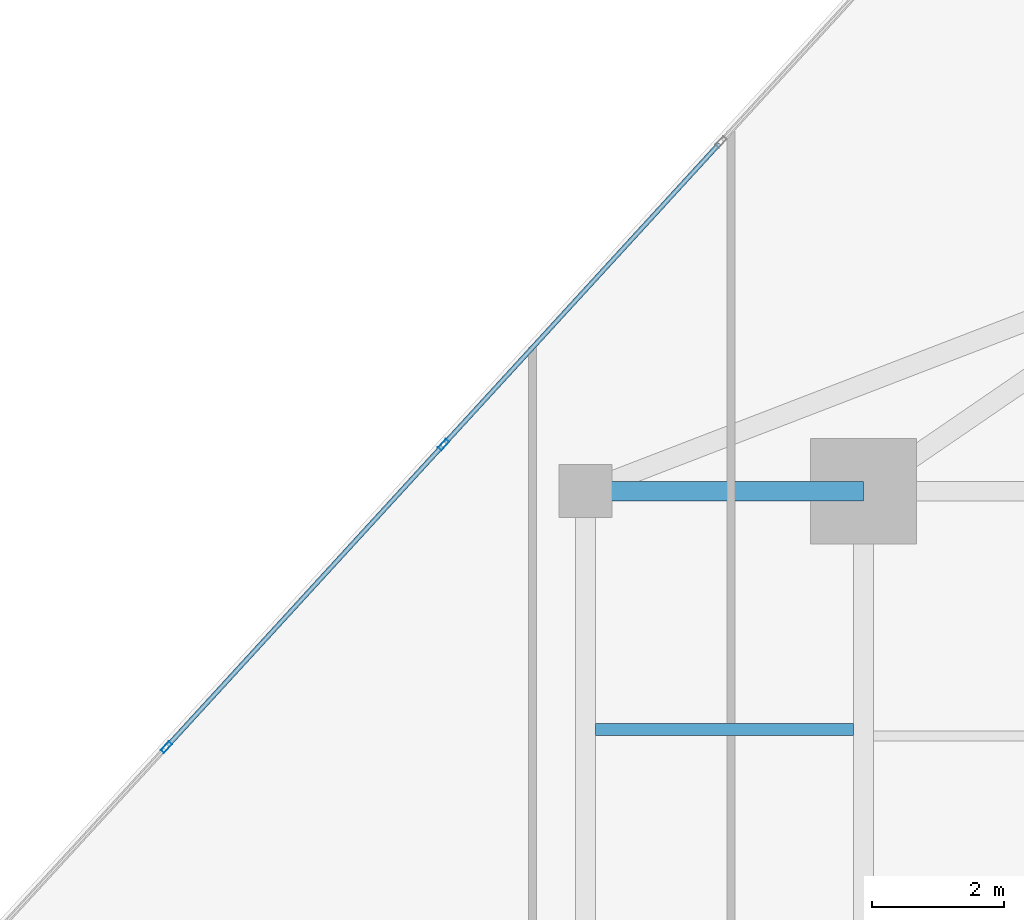
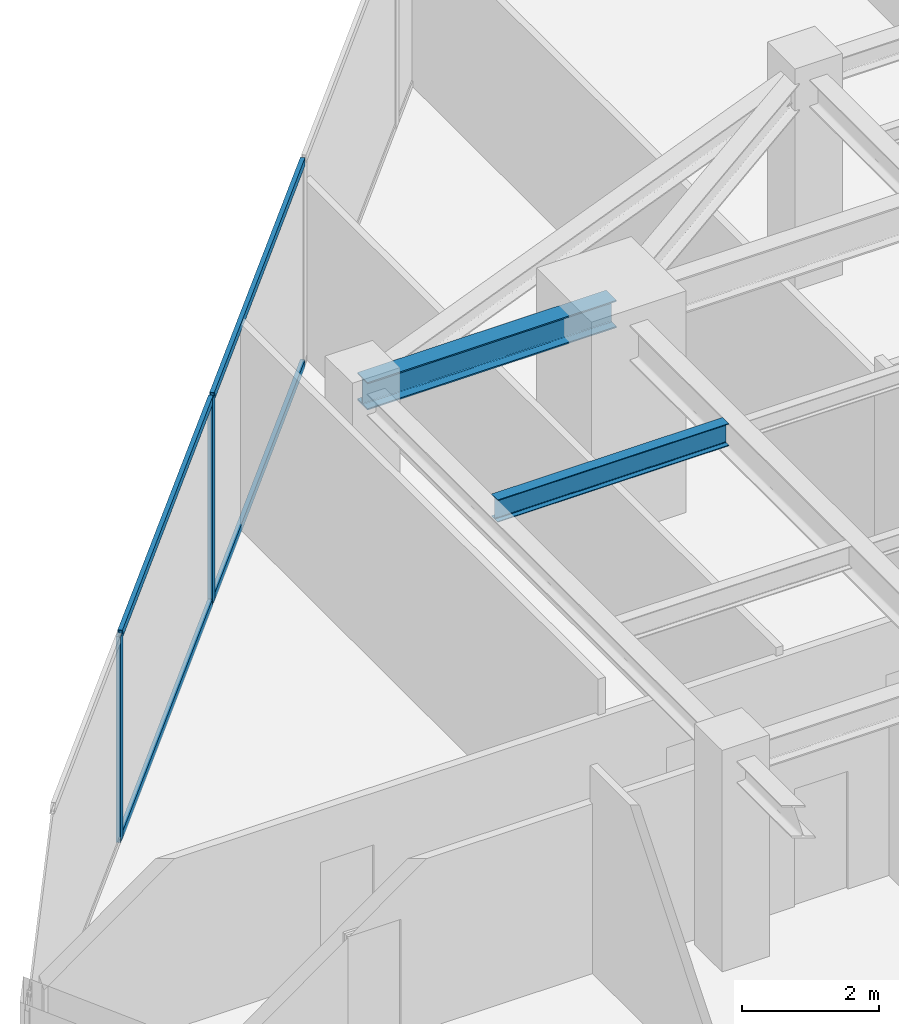
# One storey, part 14 of 26: 6 members, 2 beams, 1 element without a shape of its own.
"""IFC4 building model written with IfcOpenShell, lengths in metres."""

from ifc_helpers import new_model, si_unit, direction, frame, origin, origin_2d, place, context, subcontext, project, spatial, hollow_rectangle, i_section, extrude, source, transform, mapped, material, material_profile, profile_set, type_object, type_shapes, element, aggregate, save


model = new_model("IFC4")

# Units and contexts
model_context = context("Model", 3, precision=1e-05, world=origin(), true_north=direction((0.0, 1.0)))
body_context = subcontext(model_context, "Body", "Model", "MODEL_VIEW")
ifc_project = project(units=[si_unit("LENGTHUNIT", "METRE"), si_unit("AREAUNIT", "SQUARE_METRE"), si_unit("VOLUMEUNIT", "CUBIC_METRE"), si_unit("PLANEANGLEUNIT", "RADIAN"), si_unit("MASSUNIT", "GRAM", prefix="KILO")], contexts=[model_context])

# Site, building, storey
site_placement = place(None, origin())
site = spatial("IfcSite", under=ifc_project, at=site_placement, CompositionType="ELEMENT")
building_placement = place(site_placement, origin())
building = spatial("IfcBuilding", under=site, at=building_placement, Name="Krantzveldt Concourse Tower", CompositionType="ELEMENT")
storey_placement = place(building_placement, frame((0.0, 0.0, 223.10009765625)))
storey = spatial("IfcBuildingStorey", under=building, at=storey_placement, Name="L54", CompositionType="ELEMENT", Elevation=223.10009765625)

# Beams
ifc_material_1 = material(Name="Steel S355JR", Category="steel")
ifc_material_profile_1 = material_profile(ifc_material_1, i_section(OverallWidth=0.300048828125, OverallDepth=0.489990234375, WebThickness=0.011962890625, FlangeThickness=0.02294921875, FilletRadius=0.027099609375, at=origin_2d()), Name="Steel S355JR", Category="steel")
ifc_profile_set_1 = profile_set([ifc_material_profile_1], Name="Steel S355JR - HEA 500")
beam_type_1 = type_object("IfcBeamType", Name="BM-B-HEA500", PredefinedType="BEAM", material=ifc_profile_set_1)
shared_shape_1 = source(origin(), body_context, "Body", "SweptSolid", [
    extrude(i_section(OverallWidth=0.300048828125, OverallDepth=0.489990234375, WebThickness=0.011962890625, FlangeThickness=0.02294921875, FilletRadius=0.027099609375, at=origin_2d()), origin(), (0.0, 0.0, 1.0), 4.199951171875),
])
type_shapes(beam_type_1, [shared_shape_1])
beam_1_placement = place(storey_placement, frame((21.0, 37.5, 3.4248046875), z_axis=(1.0, 0.0, 0.0), x_axis=(0.0, 1.0, 0.0)))
element("IfcBeam", 1, at=beam_1_placement, inside=storey, type_object=beam_type_1, Name="L54 Tower Girder BR-RL3", PredefinedType="BEAM", context=body_context, shape_type="MappedRepresentation", body=[
    mapped(shared_shape_1, transform((0.0, 0.0, 0.0), x_axis=(1.0, 0.0, 0.0), y_axis=(0.0, 1.0, 0.0), z_axis=(0.0, 0.0, 1.0), scale=1.0)),
])
ifc_material_profile_2 = material_profile(ifc_material_1, i_section(OverallWidth=0.179931640625, OverallDepth=0.39990234375, WebThickness=0.008544921875, FlangeThickness=0.013427734375, FilletRadius=0.02099609375, at=origin_2d()), Name="Steel S355JR", Category="steel")
ifc_profile_set_2 = profile_set([ifc_material_profile_2], Name="Steel S355JR - IPE 400")
beam_type_2 = type_object("IfcBeamType", Name="BM-J-IPE400", PredefinedType="JOIST", material=ifc_profile_set_2)
shared_shape_2 = source(origin(), body_context, "Body", "SweptSolid", [
    extrude(i_section(OverallWidth=0.179931640625, OverallDepth=0.39990234375, WebThickness=0.008544921875, FlangeThickness=0.013427734375, FilletRadius=0.02099609375, at=origin_2d()), origin(), (0.0, 0.0, 1.0), 3.900146484375),
])
type_shapes(beam_type_2, [shared_shape_2])
beam_2_placement = place(storey_placement, frame((21.14990234375, 33.89990234375, 3.469970703125), z_axis=(1.0, 0.0, 0.0), x_axis=(0.0, 1.0, 0.0)))
element("IfcBeam", 2, at=beam_2_placement, inside=storey, type_object=beam_type_2, Name="L54 Secondary Floor Joist JW-4", PredefinedType="JOIST", context=body_context, shape_type="MappedRepresentation", body=[
    mapped(shared_shape_2, transform((0.0, 0.0, 0.0), x_axis=(1.0, 0.0, 0.0), y_axis=(0.0, 1.0, 0.0), z_axis=(0.0, 0.0, 1.0), scale=1.0)),
])

# Curtain wall, members
ifc_material_2 = material(Name="Anodised aluminium 6063-T6", Category="aluminium")
curtain_wall_type = type_object("IfcCurtainWallType", Name="CW3", PredefinedType="USERDEFINED", material=ifc_material_2)
curtain_wall_placement = place(storey_placement, origin())
curtain_wall = element("IfcCurtainWall", 3, at=curtain_wall_placement, inside=storey, type_object=curtain_wall_type, Name="CW-L54-F01", ObjectType="UNITISED CURTAIN WALL", PredefinedType="USERDEFINED")
ifc_material_profile_3 = material_profile(ifc_material_2, hollow_rectangle(XDim=0.070068359375, YDim=0.179931640625, WallThickness=0.0048828125, at=origin_2d()), Name="Anodised aluminium 6063-T6", Category="aluminium")
ifc_profile_set_3 = profile_set([ifc_material_profile_3], Name="Anodised aluminium 6063-T6 - ALU-MULL 180x70x5")
member_type_1 = type_object("IfcMemberType", Name="CW-MUL-180", PredefinedType="MULLION", material=ifc_profile_set_3)
shared_shape_3 = source(origin(), body_context, "Body", "SweptSolid", [
    extrude(hollow_rectangle(XDim=0.070068359375, YDim=0.179931640625, WallThickness=0.0048828125, at=origin_2d()), origin(), (0.0, 0.0, 1.0), 3.669921875),
])
type_shapes(member_type_1, [shared_shape_3])
member_1_placement = place(storey_placement, frame((18.85791015625, 38.203125, 0.0), z_axis=(0.0, 0.0, 1.0), x_axis=(0.737277477893, -0.675590053651, 0.0)))
member_1 = element("IfcMember", 4, at=member_1_placement, type_object=member_type_1, Name="CW-Z34 mullion 4", PredefinedType="MULLION", context=body_context, shape_type="MappedRepresentation", body=[
    mapped(shared_shape_3, transform((0.0, 0.0, 0.0), x_axis=(1.0, 0.0, 0.0), y_axis=(0.0, 1.0, 0.0), z_axis=(0.0, 0.0, 1.0), scale=1.0)),
])
member_2_placement = place(storey_placement, frame((14.669189453125, 33.632080078125, 0.0), z_axis=(0.0, 0.0, 1.0), x_axis=(0.737277477893, -0.675590053651, 0.0)))
member_2 = element("IfcMember", 5, at=member_2_placement, type_object=member_type_1, Name="CW-Z34 mullion 5", PredefinedType="MULLION", context=body_context, shape_type="MappedRepresentation", body=[
    mapped(shared_shape_3, transform((0.0, 0.0, 0.0), x_axis=(1.0, 0.0, 0.0), y_axis=(0.0, 1.0, 0.0), z_axis=(0.0, 0.0, 1.0), scale=1.0)),
])
ifc_material_profile_4 = material_profile(ifc_material_2, hollow_rectangle(XDim=0.070068359375, YDim=0.139892578125, WallThickness=0.0048828125, at=origin_2d()), Name="Anodised aluminium 6063-T6", Category="aluminium")
ifc_profile_set_4 = profile_set([ifc_material_profile_4], Name="Anodised aluminium 6063-T6 - ALU-TRAN 140x70x5")
member_type_2 = type_object("IfcMemberType", Name="CW-TRN-150", PredefinedType="USERDEFINED", material=ifc_profile_set_4)
shared_shape_4 = source(origin(), body_context, "Body", "SweptSolid", [
    extrude(hollow_rectangle(XDim=0.070068359375, YDim=0.139892578125, WallThickness=0.0048828125, at=origin_2d()), origin(), (0.0, 0.0, 1.0), 6.130126953125),
])
type_shapes(member_type_2, [shared_shape_4])
member_3_placement = place(storey_placement, frame((23.02294921875, 42.74853515625, 0.034912109375), z_axis=(-0.675587551404, -0.737279770771, 0.0), x_axis=(0.737279770771, -0.675587551404, 0.0)))
member_3 = element("IfcMember", 6, at=member_3_placement, type_object=member_type_2, Name="CW-Z34 transom 3.1", ObjectType="TRANSOM", PredefinedType="USERDEFINED", context=body_context, shape_type="MappedRepresentation", body=[
    mapped(shared_shape_4, transform((0.0, 0.0, 0.0), x_axis=(1.0, 0.0, 0.0), y_axis=(0.0, 1.0, 0.0), z_axis=(0.0, 0.0, 1.0), scale=1.0)),
])
member_4_placement = place(storey_placement, frame((23.02294921875, 42.74853515625, 3.635009765625), z_axis=(-0.675587551404, -0.737279770771, 0.0), x_axis=(0.737279770771, -0.675587551404, 0.0)))
member_4 = element("IfcMember", 7, at=member_4_placement, type_object=member_type_2, Name="CW-Z34 transom 3.2", ObjectType="TRANSOM", PredefinedType="USERDEFINED", context=body_context, shape_type="MappedRepresentation", body=[
    mapped(shared_shape_4, transform((0.0, 0.0, 0.0), x_axis=(1.0, 0.0, 0.0), y_axis=(0.0, 1.0, 0.0), z_axis=(0.0, 0.0, 1.0), scale=1.0)),
])
member_5_placement = place(storey_placement, frame((18.834228515625, 38.177490234375, 0.034912109375), z_axis=(-0.675587551404, -0.737279770771, 0.0), x_axis=(0.737279770771, -0.675587551404, 0.0)))
member_5 = element("IfcMember", 8, at=member_5_placement, type_object=member_type_2, Name="CW-Z34 transom 4.1", ObjectType="TRANSOM", PredefinedType="USERDEFINED", context=body_context, shape_type="MappedRepresentation", body=[
    mapped(shared_shape_4, transform((0.0, 0.0, 0.0), x_axis=(1.0, 0.0, 0.0), y_axis=(0.0, 1.0, 0.0), z_axis=(0.0, 0.0, 1.0), scale=1.0)),
])
member_6_placement = place(storey_placement, frame((18.834228515625, 38.177490234375, 3.635009765625), z_axis=(-0.675587551404, -0.737279770771, 0.0), x_axis=(0.737279770771, -0.675587551404, 0.0)))
member_6 = element("IfcMember", 9, at=member_6_placement, type_object=member_type_2, Name="CW-Z34 transom 4.2", ObjectType="TRANSOM", PredefinedType="USERDEFINED", context=body_context, shape_type="MappedRepresentation", body=[
    mapped(shared_shape_4, transform((0.0, 0.0, 0.0), x_axis=(1.0, 0.0, 0.0), y_axis=(0.0, 1.0, 0.0), z_axis=(0.0, 0.0, 1.0), scale=1.0)),
])
aggregate(curtain_wall, [member_1, member_2, member_3, member_4, member_5, member_6])

save(model, "model.ifc")
